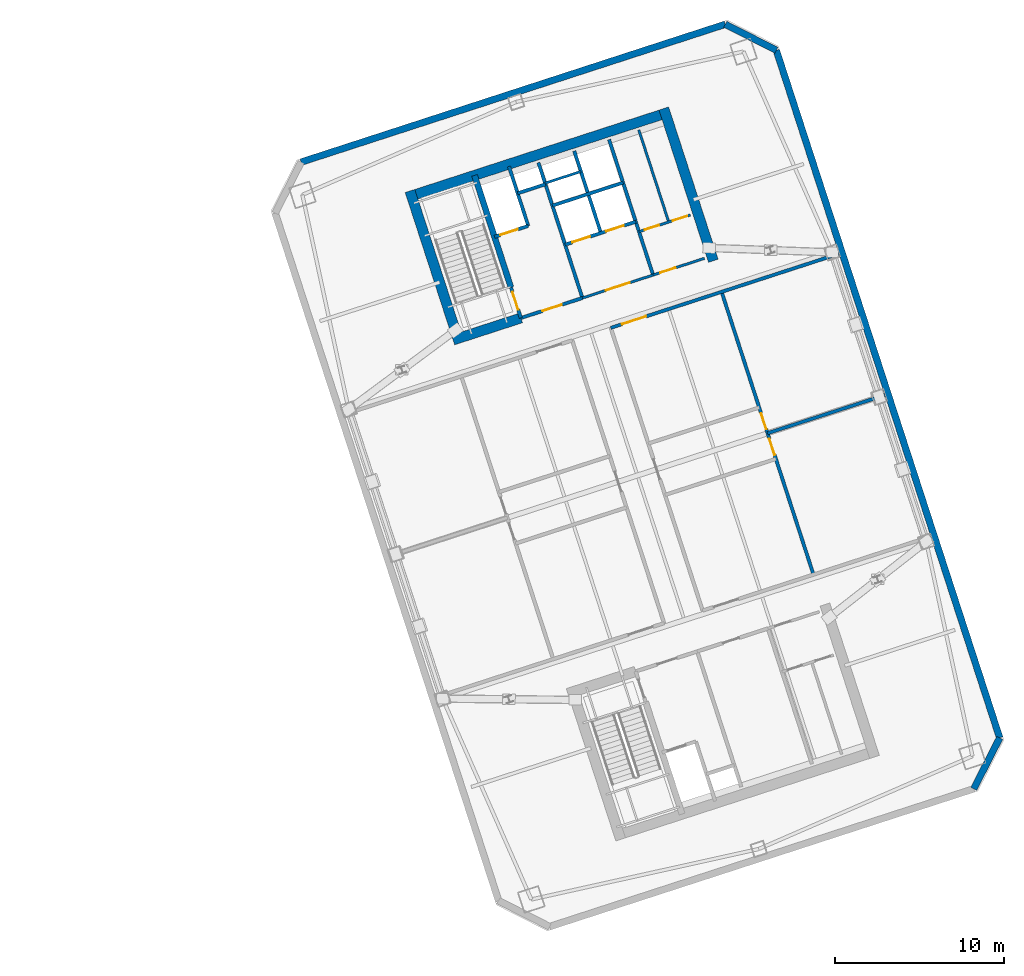
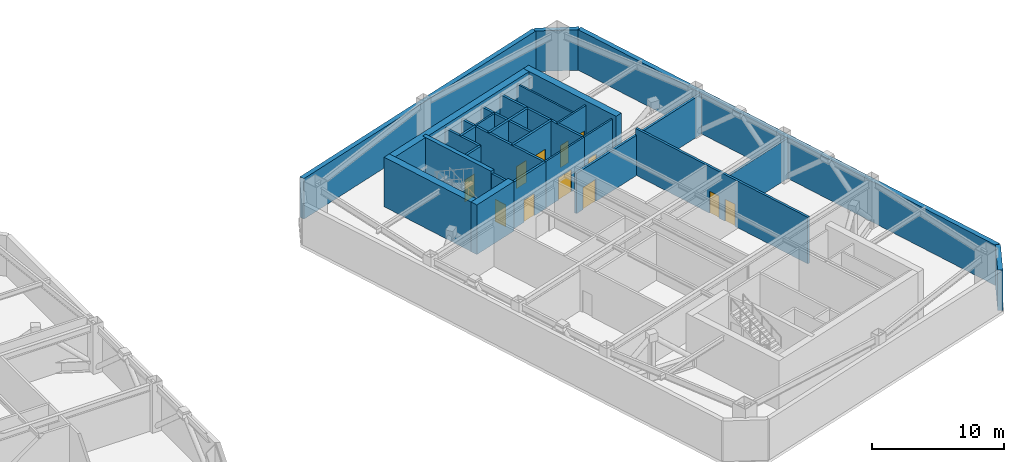
# One storey, part 14 of 17: 27 walls, 12 doors, 12 openings.
"""IFC4 building model written with IfcOpenShell, lengths in metres."""

from ifc_helpers import new_model, si_unit, direction, frame, frame_2d, origin, place, context, subcontext, project, spatial, rectangle, extrude, material, layer, layer_set, type_object, element, fill, save


model = new_model("IFC4")

# Units and contexts
model_context = context("Model", 3, precision=1e-05, world=origin(), true_north=direction((0.0, 1.0)))
body_context = subcontext(model_context, "Body", "Model", "MODEL_VIEW")
ifc_project = project(units=[si_unit("LENGTHUNIT", "METRE"), si_unit("AREAUNIT", "SQUARE_METRE"), si_unit("VOLUMEUNIT", "CUBIC_METRE"), si_unit("PLANEANGLEUNIT", "RADIAN"), si_unit("MASSUNIT", "GRAM", prefix="KILO")], contexts=[model_context])

# Site, building, storey
site_placement = place(None, origin())
site = spatial("IfcSite", under=ifc_project, at=site_placement, CompositionType="ELEMENT")
building_placement = place(site_placement, origin())
building = spatial("IfcBuilding", under=site, at=building_placement, Name="Qiaolan Cultural Towers", CompositionType="ELEMENT")
storey_placement = place(building_placement, frame((0.0, 0.0, 184.0)))
storey = spatial("IfcBuildingStorey", under=building, at=storey_placement, Name="L49", CompositionType="ELEMENT", Elevation=184.0)

# Walls
ifc_material_1 = material(Name="Concrete C50", Category="concrete")
ifc_layer_1 = layer(ifc_material_1, 0.35009765625)
ifc_layer_set_1 = layer_set([ifc_layer_1], Name="Concrete C50")
wall_type_1 = type_object("IfcWallType", Name="WL-CORE-350", PredefinedType="SHEAR", material=ifc_layer_set_1)
wall_1_placement = place(storey_placement, frame((82.513671875, 45.13134765625, 0.0), z_axis=(0.0, 0.0, 1.0), x_axis=(-0.308988790936, 0.951065679686, 0.0)))
element("IfcWall", 1, at=wall_1_placement, inside=storey, type_object=wall_type_1, Name="L49 T2-CN Stair Core Dividing Web", PredefinedType="SHEAR", context=body_context, shape_type="SweptSolid", body=[
    extrude(rectangle(XDim=6.97998046875, YDim=0.35009765625, at=frame_2d((3.489990234375, 0.0))), origin(), (0.0, 0.0, 1.0), 4.60009765625),
])
ifc_material_2 = material(Name="Concrete C55", Category="concrete")
ifc_layer_2 = layer(ifc_material_2, 0.60009765625)
ifc_layer_set_2 = layer_set([ifc_layer_2], Name="Concrete C55")
wall_type_2 = type_object("IfcWallType", Name="WL-CORE-600", PredefinedType="SHEAR", material=ifc_layer_set_2)
wall_2_placement = place(storey_placement, frame((76.343505859375, 50.4658203125, 0.0), z_axis=(0.0, 0.0, 1.0), x_axis=(0.951055727519, 0.309019421968, 0.0)))
element("IfcWall", 2, at=wall_2_placement, inside=storey, type_object=wall_type_2, Name="L49 T2-CN Outer Core Shear Wall", PredefinedType="SHEAR", context=body_context, shape_type="SweptSolid", body=[
    extrude(rectangle(XDim=16.39990234375, YDim=0.60009765625, at=frame_2d((8.199951171875, 0.0))), origin(), (0.0, 0.0, 1.0), 4.60009765625),
])
for number, where, z_axis, x_axis, name in (
    (3, (79.465576171875, 41.827880859375, 0.0), (0.0, 0.0, 1.0), (-0.309041232772, 0.951048640421, 0.0), "L49 T2-CN West Core Shear Wall"),
    (4, (94.4921875, 46.710205078125, 0.0), (0.0, 0.0, 1.0), (-0.309010370028, 0.95105866865, 0.0), "L49 T2-CN East Core Shear Wall"),
):
    element("IfcWall", number, at=place(storey_placement, frame(where, z_axis=z_axis, x_axis=x_axis)), inside=storey, type_object=wall_type_2, Name=name, PredefinedType="SHEAR", context=body_context, shape_type="SweptSolid", body=[
        extrude(rectangle(XDim=9.47998046875, YDim=0.60009765625, at=frame_2d((4.739990234375, 0.0))), origin(), (0.0, 0.0, 1.0), 4.60009765625),
    ])
wall_3_placement = place(storey_placement, frame((79.08740234375, 42.0205078125, 0.0), z_axis=(0.0, 0.0, 1.0), x_axis=(0.951062550203, 0.3089984233, 0.0)))
element("IfcWall", 5, at=wall_3_placement, inside=storey, type_object=wall_type_2, Name="L49 T2-CN Stair Front Shear Wall", PredefinedType="SHEAR", context=body_context, shape_type="SweptSolid", body=[
    extrude(rectangle(XDim=4.219970703125, YDim=0.60009765625, at=frame_2d((2.10986328125, 0.0))), origin(), (0.0, 0.0, 1.0), 4.60009765625),
])
ifc_material_3 = material(Name="Precast Concrete C50 Honed Stone Pier", Category="masonry")
ifc_layer_3 = layer(ifc_material_3, 0.39990234375)
ifc_layer_set_3 = layer_set([ifc_layer_3], Name="Precast Concrete C50 Honed Stone Pier")
wall_type_3 = type_object("IfcWallType", Name="WL-EXT-PIER-400", PredefinedType="SOLIDWALL", material=ifc_layer_set_3)
wall_4_placement = place(storey_placement, frame((70.091552734375, 52.55615234375, 0.0), z_axis=(0.0, 0.0, 1.0), x_axis=(0.951057580055, 0.30901372044, 0.0)))
element("IfcWall", 6, at=wall_4_placement, inside=storey, type_object=wall_type_3, Name="L49 East Tower Precast Pier Facade Wall F3", PredefinedType="SOLIDWALL", context=body_context, shape_type="SweptSolid", body=[
    extrude(rectangle(XDim=26.39990234375, YDim=0.39990234375, at=frame_2d((13.199951171875, 0.0))), origin(), (0.0, 0.0, 1.0), 3.760009765625),
])
wall_5_placement = place(storey_placement, frame((95.199462890625, 60.714111328125, 0.0), z_axis=(0.0, 0.0, 1.0), x_axis=(0.891020832027, -0.453962417932, 0.0)))
element("IfcWall", 7, at=wall_5_placement, inside=storey, type_object=wall_type_3, Name="L49 East Tower Precast Pier Facade Wall F4", PredefinedType="SOLIDWALL", context=body_context, shape_type="SweptSolid", body=[
    extrude(rectangle(XDim=3.39404296875, YDim=0.39990234375, at=frame_2d((1.697021484375, 0.0))), origin(), (0.0, 0.0, 1.0), 3.760009765625),
])
wall_6_placement = place(storey_placement, frame((98.2236328125, 59.17333984375, 0.0), z_axis=(0.0, 0.0, 1.0), x_axis=(0.309014228706, -0.951057414911, 0.0)))
element("IfcWall", 8, at=wall_6_placement, inside=storey, type_object=wall_type_3, Name="L49 East Tower Precast Pier Facade Wall F5", PredefinedType="SOLIDWALL", context=body_context, shape_type="SweptSolid", body=[
    extrude(rectangle(XDim=42.800048828125, YDim=0.39990234375, at=frame_2d((21.39990234375, 0.0))), origin(), (0.0, 0.0, 1.0), 3.760009765625),
])
wall_7_placement = place(storey_placement, frame((111.449462890625, 18.468017578125, 0.0), z_axis=(0.0, 0.0, 1.0), x_axis=(-0.454019523198, -0.890991735402, 0.0)))
element("IfcWall", 9, at=wall_7_placement, inside=storey, type_object=wall_type_3, Name="L49 East Tower Precast Pier Facade Wall F6", PredefinedType="SOLIDWALL", context=body_context, shape_type="SweptSolid", body=[
    extrude(rectangle(XDim=3.39404296875, YDim=0.39990234375, at=frame_2d((1.697021484375, 0.0))), origin(), (0.0, 0.0, 1.0), 3.760009765625),
])

# Wall, opening, door
ifc_material_4 = material(Name="Concrete C35 Fire Wall", Category="concrete")
ifc_layer_4 = layer(ifc_material_4, 0.199951171875)
ifc_layer_set_4 = layer_set([ifc_layer_4], Name="Concrete C35 Fire Wall")
wall_type_4 = type_object("IfcWallType", Name="WL-FIRE-200", PredefinedType="PARTITIONING", material=ifc_layer_set_4)
wall_8_placement = place(storey_placement, frame((83.100830078125, 43.324462890625, 0.0), z_axis=(0.0, 0.0, 1.0), x_axis=(-0.309048298632, 0.951046344356, 0.0)))
wall_8 = element("IfcWall", 10, at=wall_8_placement, inside=storey, type_object=wall_type_4, Name="L49 T2-CN Smokeproof Stair Entry Wall", PredefinedType="PARTITIONING", context=body_context, shape_type="SweptSolid", body=[
    extrude(rectangle(XDim=1.89990234375, YDim=0.199951171875, at=frame_2d((0.949951171875, 0.0))), origin(), (0.0, 0.0, 1.0), 4.324951171875),
])
opening_1_placement = place(wall_8_placement, frame((0.52001953125, 0.0, 0.0)))
opening_1 = element("IfcOpeningElement", 11, at=opening_1_placement, cuts=wall_8, Name="Opening FD-04", PredefinedType="OPENING", context=body_context, shape_type="SweptSolid", body=[
    extrude(rectangle(XDim=1.10009765625, YDim=2.050048828125, at=frame_2d((0.550048828125, 1.02490234375))), frame((0.0, 0.10986328125, 0.0), z_axis=(0.0, -1.0, 0.0), x_axis=(1.0, 0.0, 0.0)), (0.0, 0.0, 1.0), 0.219970703125),
])
ifc_material_5 = material(Name="Galvanized Steel Command Fire Door", Category="steel")
door_type_1 = type_object("IfcDoorType", Name="DR-FD90-1100", OperationType="NOTDEFINED", PredefinedType="DOOR", material=ifc_material_5)
door_1_placement = place(opening_1_placement, origin())
door_1 = element("IfcDoor", 12, at=door_1_placement, inside=storey, type_object=door_type_1, Name="L49 ST-E2 Smokeproof Stair Fire Door", OperationType="SINGLE_SWING_LEFT", OverallHeight=2.050048828125, OverallWidth=1.10009765625, PredefinedType="DOOR", context=body_context, shape_type="SweptSolid", body=[
    extrude(rectangle(XDim=1.10009765625, YDim=2.050048828125, at=frame_2d((0.550048828125, 1.02490234375))), frame((0.0, 0.02490234375, 0.0), z_axis=(0.0, -1.0, 0.0), x_axis=(1.0, 0.0, 0.0)), (0.0, 0.0, 1.0), 0.050048828125),
])
fill(opening_1, door_1)

# Wall
wall_9_placement = place(storey_placement, frame((86.743408203125, 44.508056640625, 0.0), z_axis=(0.0, 0.0, 1.0), x_axis=(-0.309016001439, 0.951056838919, 0.0)))
element("IfcWall", 13, at=wall_9_placement, inside=storey, type_object=wall_type_4, Name="L49 T2-CN Firefighting Zone Wall", PredefinedType="PARTITIONING", context=body_context, shape_type="SweptSolid", body=[
    extrude(rectangle(XDim=8.429931640625, YDim=0.199951171875, at=frame_2d((4.21484375, 0.0))), origin(), (0.0, 0.0, 1.0), 4.324951171875),
])

# Wall, opening, door
wall_10_placement = place(storey_placement, frame((83.100830078125, 43.324462890625, 0.0), z_axis=(0.0, 0.0, 1.0), x_axis=(0.951052804469, 0.309028417967, 0.0)))
wall_10 = element("IfcWall", 14, at=wall_10_placement, inside=storey, type_object=wall_type_4, Name="L49 T2-CN Firefighting Lobby Front Wall", PredefinedType="PARTITIONING", context=body_context, shape_type="SweptSolid", body=[
    extrude(rectangle(XDim=3.830078125, YDim=0.199951171875, at=frame_2d((1.9150390625, 0.0))), origin(), (0.0, 0.0, 1.0), 4.324951171875),
])
opening_2_placement = place(wall_10_placement, frame((1.35009765625, 0.0, 0.0)))
opening_2 = element("IfcOpeningElement", 15, at=opening_2_placement, cuts=wall_10, Name="Opening FD-03", PredefinedType="OPENING", context=body_context, shape_type="SweptSolid", body=[
    extrude(rectangle(XDim=1.199951171875, YDim=2.050048828125, at=frame_2d((0.60009765625, 1.02490234375))), frame((0.0, 0.10986328125, 0.0), z_axis=(0.0, -1.0, 0.0), x_axis=(1.0, 0.0, 0.0)), (0.0, 0.0, 1.0), 0.219970703125),
])
ifc_material_6 = material(Name="Galvanized Steel Smokeproof Lobby Fire Door", Category="steel")
door_type_2 = type_object("IfcDoorType", Name="DR-FD90-1200", OperationType="NOTDEFINED", PredefinedType="DOOR", material=ifc_material_6)
door_2_placement = place(opening_2_placement, origin())
door_2 = element("IfcDoor", 16, at=door_2_placement, inside=storey, type_object=door_type_2, Name="L49 FFL-E2 Firefighting Lobby Fire Door", OperationType="SINGLE_SWING_LEFT", OverallHeight=2.050048828125, OverallWidth=1.199951171875, PredefinedType="DOOR", context=body_context, shape_type="SweptSolid", body=[
    extrude(rectangle(XDim=1.199951171875, YDim=2.050048828125, at=frame_2d((0.60009765625, 1.02490234375))), frame((0.0, 0.02490234375, 0.0), z_axis=(0.0, -1.0, 0.0), x_axis=(1.0, 0.0, 0.0)), (0.0, 0.0, 1.0), 0.050048828125),
])
fill(opening_2, door_2)

wall_11_placement = place(storey_placement, frame((81.540283203125, 48.127197265625, 0.0), z_axis=(0.0, 0.0, 1.0), x_axis=(0.951062257173, 0.308999325213, 0.0)))
wall_11 = element("IfcWall", 17, at=wall_11_placement, inside=storey, type_object=wall_type_4, Name="L49 T2-CN Firefighting Shaft Front Wall", PredefinedType="PARTITIONING", context=body_context, shape_type="SweptSolid", body=[
    extrude(rectangle(XDim=2.10009765625, YDim=0.199951171875, at=frame_2d((1.050048828125, 0.0))), origin(), (0.0, 0.0, 1.0), 4.324951171875),
])
opening_3_placement = place(wall_11_placement, frame((0.35009765625, 0.0, 0.0)))
opening_3 = element("IfcOpeningElement", 18, at=opening_3_placement, cuts=wall_11, Name="Opening LD-01", PredefinedType="OPENING", context=body_context, shape_type="SweptSolid", body=[
    extrude(rectangle(XDim=1.10009765625, YDim=2.050048828125, at=frame_2d((0.550048828125, 1.02490234375))), frame((0.0, 0.10986328125, 0.0), z_axis=(0.0, -1.0, 0.0), x_axis=(1.0, 0.0, 0.0)), (0.0, 0.0, 1.0), 0.219970703125),
])
ifc_material_7 = material(Name="Brushed Stainless Steel S30408 Centre-Parting Lift Landing Door", Category="steel")
door_type_3 = type_object("IfcDoorType", Name="DR-LIFT-1100", OperationType="NOTDEFINED", PredefinedType="DOOR", material=ifc_material_7)
door_3_placement = place(opening_3_placement, origin())
door_3 = element("IfcDoor", 19, at=door_3_placement, inside=storey, type_object=door_type_3, Name="L49 FFL-E2 Firefighting Lift Landing Door", OperationType="DOUBLE_DOOR_SLIDING", OverallHeight=2.050048828125, OverallWidth=1.10009765625, PredefinedType="DOOR", context=body_context, shape_type="SweptSolid", body=[
    extrude(rectangle(XDim=1.10009765625, YDim=2.050048828125, at=frame_2d((0.550048828125, 1.02490234375))), frame((0.0, 0.02490234375, 0.0), z_axis=(0.0, -1.0, 0.0), x_axis=(1.0, 0.0, 0.0)), (0.0, 0.0, 1.0), 0.050048828125),
])
fill(opening_3, door_3)

# Walls
wall_12_placement = place(storey_placement, frame((83.53759765625, 48.776123046875, 0.0), z_axis=(0.0, 0.0, 1.0), x_axis=(-0.3089935693, 0.951064127245, 0.0)))
element("IfcWall", 20, at=wall_12_placement, inside=storey, type_object=wall_type_4, Name="L49 T2-CN Firefighting Hoistway East Wall", PredefinedType="PARTITIONING", context=body_context, shape_type="SweptSolid", body=[
    extrude(rectangle(XDim=3.7001953125, YDim=0.199951171875, at=frame_2d((1.85009765625, 0.0))), origin(), (0.0, 0.0, 1.0), 4.324951171875),
])
wall_13_placement = place(storey_placement, frame((82.910400390625, 50.706787109375, 0.0), z_axis=(0.0, 0.0, 1.0), x_axis=(0.951041328149, 0.309063734775, 0.0)))
element("IfcWall", 21, at=wall_13_placement, inside=storey, type_object=wall_type_4, Name="L49 T2-CN Pressurization Shaft Front Wall", PredefinedType="PARTITIONING", context=body_context, shape_type="SweptSolid", body=[
    extrude(rectangle(XDim=1.72998046875, YDim=0.199951171875, at=frame_2d((0.864990234375, 0.0))), origin(), (0.0, 0.0, 1.0), 4.324951171875),
])
wall_14_placement = place(storey_placement, frame((90.92822265625, 45.86767578125, 0.0), z_axis=(0.0, 0.0, 1.0), x_axis=(-0.309042196757, 0.951048327176, 0.0)))
element("IfcWall", 22, at=wall_14_placement, inside=storey, type_object=wall_type_4, Name="L49 T2-CN Lift Core East Wall", PredefinedType="PARTITIONING", context=body_context, shape_type="SweptSolid", body=[
    extrude(rectangle(XDim=8.429931640625, YDim=0.199951171875, at=frame_2d((4.21484375, 0.0))), origin(), (0.0, 0.0, 1.0), 4.324951171875),
])

# Wall, openings, doors
wall_15_placement = place(storey_placement, frame((85.717529296875, 47.66552734375, 0.0), z_axis=(0.0, 0.0, 1.0), x_axis=(0.951058531764, 0.30901079133, 0.0)))
wall_15 = element("IfcWall", 23, at=wall_15_placement, inside=storey, type_object=wall_type_4, Name="L49 T2-CN Passenger Lift Shaft Front Wall", PredefinedType="PARTITIONING", context=body_context, shape_type="SweptSolid", body=[
    extrude(rectangle(XDim=4.39990234375, YDim=0.199951171875, at=frame_2d((2.199951171875, 0.0))), origin(), (0.0, 0.0, 1.0), 4.324951171875),
])
opening_4_placement = place(wall_15_placement, frame((0.449951171875, 0.0, 0.0)))
opening_4 = element("IfcOpeningElement", 24, at=opening_4_placement, cuts=wall_15, Name="Opening LD-01", PredefinedType="OPENING", context=body_context, shape_type="SweptSolid", body=[
    extrude(rectangle(XDim=1.10009765625, YDim=2.050048828125, at=frame_2d((0.550048828125, 1.02490234375))), frame((0.0, 0.10986328125, 0.0), z_axis=(0.0, -1.0, 0.0), x_axis=(1.0, 0.0, 0.0)), (0.0, 0.0, 1.0), 0.219970703125),
])
opening_5_placement = place(wall_15_placement, frame((2.550048828125, 0.0, 0.0)))
opening_5 = element("IfcOpeningElement", 25, at=opening_5_placement, cuts=wall_15, Name="Opening LD-01", PredefinedType="OPENING", context=body_context, shape_type="SweptSolid", body=[
    extrude(rectangle(XDim=1.10009765625, YDim=2.050048828125, at=frame_2d((0.550048828125, 1.02490234375))), frame((0.0, 0.10986328125, 0.0), z_axis=(0.0, -1.0, 0.0), x_axis=(1.0, 0.0, 0.0)), (0.0, 0.0, 1.0), 0.219970703125),
])
door_4_placement = place(opening_4_placement, origin())
door_4 = element("IfcDoor", 26, at=door_4_placement, inside=storey, type_object=door_type_3, Name="L49 Passenger Lift 1 Landing Door", OperationType="DOUBLE_DOOR_SLIDING", OverallHeight=2.050048828125, OverallWidth=1.10009765625, PredefinedType="DOOR", context=body_context, shape_type="SweptSolid", body=[
    extrude(rectangle(XDim=1.10009765625, YDim=2.050048828125, at=frame_2d((0.550048828125, 1.02490234375))), frame((0.0, 0.02490234375, 0.0), z_axis=(0.0, -1.0, 0.0), x_axis=(1.0, 0.0, 0.0)), (0.0, 0.0, 1.0), 0.050048828125),
])
fill(opening_4, door_4)
door_5_placement = place(opening_5_placement, origin())
door_5 = element("IfcDoor", 27, at=door_5_placement, inside=storey, type_object=door_type_3, Name="L49 Passenger Lift 2 Landing Door", OperationType="DOUBLE_DOOR_SLIDING", OverallHeight=2.050048828125, OverallWidth=1.10009765625, PredefinedType="DOOR", context=body_context, shape_type="SweptSolid", body=[
    extrude(rectangle(XDim=1.10009765625, YDim=2.050048828125, at=frame_2d((0.550048828125, 1.02490234375))), frame((0.0, 0.02490234375, 0.0), z_axis=(0.0, -1.0, 0.0), x_axis=(1.0, 0.0, 0.0)), (0.0, 0.0, 1.0), 0.050048828125),
])
fill(opening_5, door_5)

# Walls
wall_16_placement = place(storey_placement, frame((87.83837890625, 48.3544921875, 0.0), z_axis=(0.0, 0.0, 1.0), x_axis=(-0.3090093719, 0.951058992953, 0.0)))
element("IfcWall", 28, at=wall_16_placement, inside=storey, type_object=wall_type_4, Name="L49 T2-CN Lift Shaft Divider Wall", PredefinedType="PARTITIONING", context=body_context, shape_type="SweptSolid", body=[
    extrude(rectangle(XDim=5.110107421875, YDim=0.199951171875, at=frame_2d((2.55517578125, 0.0))), origin(), (0.0, 0.0, 1.0), 4.324951171875),
])
wall_17_placement = place(storey_placement, frame((84.966552734375, 49.9765625, 0.0), z_axis=(0.0, 0.0, 1.0), x_axis=(0.951063829732, 0.308994485023, 0.0)))
element("IfcWall", 29, at=wall_17_placement, inside=storey, type_object=wall_type_4, Name="L49 T2-CN Passenger Lift Shaft Back Wall", PredefinedType="PARTITIONING", context=body_context, shape_type="SweptSolid", body=[
    extrude(rectangle(XDim=4.400146484375, YDim=0.199951171875, at=frame_2d((2.2001953125, 0.0))), origin(), (0.0, 0.0, 1.0), 4.324951171875),
])

# Wall, opening, door
wall_18_placement = place(storey_placement, frame((88.421875, 42.740234375, 0.0), z_axis=(0.0, 0.0, 1.0), x_axis=(0.951059461247, 0.3090079306, 0.0)))
wall_18 = element("IfcWall", 30, at=wall_18_placement, inside=storey, type_object=wall_type_4, Name="L49 T2 Fire Rated Plant/Refuge Wall NBE", PredefinedType="PARTITIONING", context=body_context, shape_type="SweptSolid", body=[
    extrude(rectangle(XDim=14.2001953125, YDim=0.199951171875, at=frame_2d((7.10009765625, 0.0))), origin(), (0.0, 0.0, 1.0), 3.72705078125),
])
opening_6_placement = place(wall_18_placement, frame((0.699951171875, 0.0, 0.0)))
opening_6 = element("IfcOpeningElement", 31, at=opening_6_placement, cuts=wall_18, Name="Opening FD-02", PredefinedType="OPENING", context=body_context, shape_type="SweptSolid", body=[
    extrude(rectangle(XDim=1.5, YDim=2.050048828125, at=frame_2d((0.75, 1.02490234375))), frame((0.0, 0.10986328125, 0.0), z_axis=(0.0, -1.0, 0.0), x_axis=(1.0, 0.0, 0.0)), (0.0, 0.0, 1.0), 0.219970703125),
])
ifc_material_8 = material(Name="Galvanized Steel Double Fire Door", Category="steel")
door_type_4 = type_object("IfcDoorType", Name="DR-FD90-1500", OperationType="NOTDEFINED", PredefinedType="DOOR", material=ifc_material_8)
door_6_placement = place(opening_6_placement, origin())
door_6 = element("IfcDoor", 32, at=door_6_placement, inside=storey, type_object=door_type_4, Name="L49 T2 East North Refuge Fire Door", OperationType="SINGLE_SWING_RIGHT", OverallHeight=2.050048828125, OverallWidth=1.5, PredefinedType="DOOR", context=body_context, shape_type="SweptSolid", body=[
    extrude(rectangle(XDim=1.5, YDim=2.050048828125, at=frame_2d((0.75, 1.02490234375))), frame((0.0, 0.02490234375, 0.0), z_axis=(0.0, -1.0, 0.0), x_axis=(1.0, 0.0, 0.0)), (0.0, 0.0, 1.0), 0.050048828125),
])
fill(opening_6, door_6)

# Wall, openings, doors
wall_19_placement = place(storey_placement, frame((100.4228515625, 28.1337890625, 0.0), z_axis=(0.0, 0.0, 1.0), x_axis=(-0.309019261708, 0.951055779591, 0.0)))
wall_19 = element("IfcWall", 33, at=wall_19_placement, inside=storey, type_object=wall_type_4, Name="L49 T2 Fire Rated Plant/Refuge Wall ER", PredefinedType="PARTITIONING", context=body_context, shape_type="SweptSolid", body=[
    extrude(rectangle(XDim=17.599853515625, YDim=0.199951171875, at=frame_2d((8.7998046875, 0.0))), origin(), (0.0, 0.0, 1.0), 4.324951171875),
])
opening_7_placement = place(wall_19_placement, frame((7.449951171875, 0.0, 0.0)))
opening_7 = element("IfcOpeningElement", 34, at=opening_7_placement, cuts=wall_19, Name="Opening FD-07", PredefinedType="OPENING", context=body_context, shape_type="SweptSolid", body=[
    extrude(rectangle(XDim=1.0, YDim=2.050048828125, at=frame_2d((0.5, 1.02490234375))), frame((0.0, 0.10986328125, 0.0), z_axis=(0.0, -1.0, 0.0), x_axis=(1.0, 0.0, 0.0)), (0.0, 0.0, 1.0), 0.219970703125),
])
opening_8_placement = place(wall_19_placement, frame((9.050048828125, 0.0, 0.0)))
opening_8 = element("IfcOpeningElement", 35, at=opening_8_placement, cuts=wall_19, Name="Opening FD-07", PredefinedType="OPENING", context=body_context, shape_type="SweptSolid", body=[
    extrude(rectangle(XDim=1.0, YDim=2.050048828125, at=frame_2d((0.5, 1.02490234375))), frame((0.0, 0.10986328125, 0.0), z_axis=(0.0, -1.0, 0.0), x_axis=(1.0, 0.0, 0.0)), (0.0, 0.0, 1.0), 0.219970703125),
])
ifc_material_9 = material(Name="Painted Steel Riser Fire Door", Category="steel")
door_type_5 = type_object("IfcDoorType", Name="DR-FD60-1000", OperationType="NOTDEFINED", PredefinedType="DOOR", material=ifc_material_9)
door_7_placement = place(opening_7_placement, origin())
door_7 = element("IfcDoor", 36, at=door_7_placement, inside=storey, type_object=door_type_5, Name="L49 T2 East AHU Plant Door", OperationType="SINGLE_SWING_LEFT", OverallHeight=2.050048828125, OverallWidth=1.0, PredefinedType="DOOR", context=body_context, shape_type="SweptSolid", body=[
    extrude(rectangle(XDim=1.0, YDim=2.050048828125, at=frame_2d((0.5, 1.02490234375))), frame((0.0, 0.02490234375, 0.0), z_axis=(0.0, -1.0, 0.0), x_axis=(1.0, 0.0, 0.0)), (0.0, 0.0, 1.0), 0.050048828125),
])
fill(opening_7, door_7)
door_8_placement = place(opening_8_placement, origin())
door_8 = element("IfcDoor", 37, at=door_8_placement, inside=storey, type_object=door_type_5, Name="L49 T2 East Electrical Substation Door", OperationType="SINGLE_SWING_RIGHT", OverallHeight=2.050048828125, OverallWidth=1.0, PredefinedType="DOOR", context=body_context, shape_type="SweptSolid", body=[
    extrude(rectangle(XDim=1.0, YDim=2.050048828125, at=frame_2d((0.5, 1.02490234375))), frame((0.0, 0.02490234375, 0.0), z_axis=(0.0, -1.0, 0.0), x_axis=(1.0, 0.0, 0.0)), (0.0, 0.0, 1.0), 0.050048828125),
])
fill(opening_8, door_8)

# Wall
wall_20_placement = place(storey_placement, frame((97.70361328125, 36.5029296875, 0.0), z_axis=(0.0, 0.0, 1.0), x_axis=(0.951053974497, 0.309024817117, 0.0)))
element("IfcWall", 38, at=wall_20_placement, inside=storey, type_object=wall_type_4, Name="L49 T2 Fire Rated Plant/Refuge Wall EMID", PredefinedType="PARTITIONING", context=body_context, shape_type="SweptSolid", body=[
    extrude(rectangle(XDim=7.300048828125, YDim=0.199951171875, at=frame_2d((3.64990234375, 0.0))), origin(), (0.0, 0.0, 1.0), 3.72705078125),
])

# Wall, opening, door
ifc_material_10 = material(Name="Autoclaved Aerated Concrete Block B06", Category="concrete")
ifc_layer_5 = layer(ifc_material_10, 0.14990234375)
ifc_layer_set_5 = layer_set([ifc_layer_5], Name="Autoclaved Aerated Concrete Block B06")
wall_type_5 = type_object("IfcWallType", Name="WL-PART-150", PredefinedType="PARTITIONING", material=ifc_layer_set_5)
wall_21_placement = place(storey_placement, frame((86.743408203125, 44.508056640625, 0.0), z_axis=(0.0, 0.0, 1.0), x_axis=(0.951063829732, 0.308994485023, 0.0)))
wall_21 = element("IfcWall", 39, at=wall_21_placement, inside=storey, type_object=wall_type_5, Name="L49 T2-CN Passenger Lift Lobby Front Wall", PredefinedType="PARTITIONING", context=body_context, shape_type="SweptSolid", body=[
    extrude(rectangle(XDim=4.400146484375, YDim=0.14990234375, at=frame_2d((2.2001953125, 0.0))), origin(), (0.0, 0.0, 1.0), 4.324951171875),
])
opening_9_placement = place(wall_21_placement, frame((1.449951171875, 0.0, 0.0)))
opening_9 = element("IfcOpeningElement", 40, at=opening_9_placement, cuts=wall_21, Name="Opening FD-05", PredefinedType="OPENING", context=body_context, shape_type="SweptSolid", body=[
    extrude(rectangle(XDim=1.5, YDim=2.050048828125, at=frame_2d((0.75, 1.02490234375))), frame((0.0, 0.0849609375, 0.0), z_axis=(0.0, -1.0, 0.0), x_axis=(1.0, 0.0, 0.0)), (0.0, 0.0, 1.0), 0.169921875),
])
ifc_material_11 = material(Name="Painted Steel Lift Lobby Fire Door", Category="steel")
door_type_6 = type_object("IfcDoorType", Name="DR-FD60-1500", OperationType="NOTDEFINED", PredefinedType="DOOR", material=ifc_material_11)
door_9_placement = place(opening_9_placement, origin())
door_9 = element("IfcDoor", 41, at=door_9_placement, inside=storey, type_object=door_type_6, Name="L49 Passenger Lift Lobby Entrance", OperationType="SINGLE_SWING_LEFT", OverallHeight=2.050048828125, OverallWidth=1.5, PredefinedType="DOOR", context=body_context, shape_type="SweptSolid", body=[
    extrude(rectangle(XDim=1.5, YDim=2.050048828125, at=frame_2d((0.75, 1.02490234375))), frame((0.0, 0.02490234375, 0.0), z_axis=(0.0, -1.0, 0.0), x_axis=(1.0, 0.0, 0.0)), (0.0, 0.0, 1.0), 0.050048828125),
])
fill(opening_9, door_9)

# Wall
wall_22_placement = place(storey_placement, frame((84.533935546875, 51.30810546875, 0.0), z_axis=(0.0, 0.0, 1.0), x_axis=(0.951075093106, 0.308959814982, 0.0)))
element("IfcWall", 42, at=wall_22_placement, inside=storey, type_object=wall_type_5, Name="L49 T2-CN Core Rear Riser Split", PredefinedType="PARTITIONING", context=body_context, shape_type="SweptSolid", body=[
    extrude(rectangle(XDim=2.22998046875, YDim=0.14990234375, at=frame_2d((1.114990234375, 0.0))), origin(), (0.0, 0.0, 1.0), 4.324951171875),
])

# Wall, opening, door
wall_23_placement = place(storey_placement, frame((90.92822265625, 45.86767578125, 0.0), z_axis=(0.0, 0.0, 1.0), x_axis=(0.951059297078, 0.309008435874, 0.0)))
wall_23 = element("IfcWall", 43, at=wall_23_placement, inside=storey, type_object=wall_type_5, Name="L49 T2-CN Sanitary Core Front Wall", PredefinedType="PARTITIONING", context=body_context, shape_type="SweptSolid", body=[
    extrude(rectangle(XDim=3.19970703125, YDim=0.14990234375, at=frame_2d((1.599853515625, 0.0))), origin(), (0.0, 0.0, 1.0), 4.324951171875),
])
opening_10_placement = place(wall_23_placement, frame((0.449951171875, 0.0, 0.0)))
opening_10 = element("IfcOpeningElement", 44, at=opening_10_placement, cuts=wall_23, Name="Opening ID-05", PredefinedType="OPENING", context=body_context, shape_type="SweptSolid", body=[
    extrude(rectangle(XDim=0.949951171875, YDim=2.050048828125, at=frame_2d((0.47509765625, 1.02490234375))), frame((0.0, 0.0849609375, 0.0), z_axis=(0.0, -1.0, 0.0), x_axis=(1.0, 0.0, 0.0)), (0.0, 0.0, 1.0), 0.169921875),
])
ifc_material_12 = material(Name="Fire-Rated Laminate Accessible Core Door", Category="timber")
door_type_7 = type_object("IfcDoorType", Name="DR-INT-950", OperationType="NOTDEFINED", PredefinedType="DOOR", material=ifc_material_12)
door_10_placement = place(opening_10_placement, origin())
door_10 = element("IfcDoor", 45, at=door_10_placement, inside=storey, type_object=door_type_7, Name="L49 Sanitary Vestibule Door", OperationType="SINGLE_SWING_LEFT", OverallHeight=2.050048828125, OverallWidth=0.949951171875, PredefinedType="DOOR", context=body_context, shape_type="SweptSolid", body=[
    extrude(rectangle(XDim=0.949951171875, YDim=2.050048828125, at=frame_2d((0.47509765625, 1.02490234375))), frame((0.0, 0.02490234375, 0.0), z_axis=(0.0, -1.0, 0.0), x_axis=(1.0, 0.0, 0.0)), (0.0, 0.0, 1.0), 0.050048828125),
])
fill(opening_10, door_10)

# Wall, openings, doors
wall_24_placement = place(storey_placement, frame((90.09375, 48.435546875, 0.0), z_axis=(0.0, 0.0, 1.0), x_axis=(0.951066581729, 0.308986014439, 0.0)))
wall_24 = element("IfcWall", 46, at=wall_24_placement, inside=storey, type_object=wall_type_5, Name="L49 T2-CN Restroom Vestibule Wall", PredefinedType="PARTITIONING", context=body_context, shape_type="SweptSolid", body=[
    extrude(rectangle(XDim=3.199951171875, YDim=0.14990234375, at=frame_2d((1.60009765625, 0.0))), origin(), (0.0, 0.0, 1.0), 4.324951171875),
])
opening_11_placement = place(wall_24_placement, frame((0.35009765625, 0.0, 0.0)))
opening_11 = element("IfcOpeningElement", 47, at=opening_11_placement, cuts=wall_24, Name="Opening ID-06", PredefinedType="OPENING", context=body_context, shape_type="SweptSolid", body=[
    extrude(rectangle(XDim=0.89990234375, YDim=2.050048828125, at=frame_2d((0.449951171875, 1.02490234375))), frame((0.0, 0.0849609375, 0.0), z_axis=(0.0, -1.0, 0.0), x_axis=(1.0, 0.0, 0.0)), (0.0, 0.0, 1.0), 0.169921875),
])
opening_12_placement = place(wall_24_placement, frame((2.10009765625, 0.0, 0.0)))
opening_12 = element("IfcOpeningElement", 48, at=opening_12_placement, cuts=wall_24, Name="Opening ID-06", PredefinedType="OPENING", context=body_context, shape_type="SweptSolid", body=[
    extrude(rectangle(XDim=0.89990234375, YDim=2.050048828125, at=frame_2d((0.449951171875, 1.02490234375))), frame((0.0, 0.0849609375, 0.0), z_axis=(0.0, -1.0, 0.0), x_axis=(1.0, 0.0, 0.0)), (0.0, 0.0, 1.0), 0.169921875),
])
ifc_material_13 = material(Name="Fire-Rated Laminate Core Service Door", Category="timber")
door_type_8 = type_object("IfcDoorType", Name="DR-INT-900", OperationType="NOTDEFINED", PredefinedType="DOOR", material=ifc_material_13)
door_11_placement = place(opening_11_placement, origin())
door_11 = element("IfcDoor", 49, at=door_11_placement, inside=storey, type_object=door_type_8, Name="L49 Men Restroom Door", OperationType="SINGLE_SWING_LEFT", OverallHeight=2.050048828125, OverallWidth=0.89990234375, PredefinedType="DOOR", context=body_context, shape_type="SweptSolid", body=[
    extrude(rectangle(XDim=0.89990234375, YDim=2.050048828125, at=frame_2d((0.449951171875, 1.02490234375))), frame((0.0, 0.02490234375, 0.0), z_axis=(0.0, -1.0, 0.0), x_axis=(1.0, 0.0, 0.0)), (0.0, 0.0, 1.0), 0.050048828125),
])
fill(opening_11, door_11)
door_12_placement = place(opening_12_placement, origin())
door_12 = element("IfcDoor", 50, at=door_12_placement, inside=storey, type_object=door_type_8, Name="L49 Accessible & Women Restroom Door", OperationType="SINGLE_SWING_RIGHT", OverallHeight=2.050048828125, OverallWidth=0.89990234375, PredefinedType="DOOR", context=body_context, shape_type="SweptSolid", body=[
    extrude(rectangle(XDim=0.89990234375, YDim=2.050048828125, at=frame_2d((0.449951171875, 1.02490234375))), frame((0.0, 0.02490234375, 0.0), z_axis=(0.0, -1.0, 0.0), x_axis=(1.0, 0.0, 0.0)), (0.0, 0.0, 1.0), 0.050048828125),
])
fill(opening_12, door_12)

# Wall
wall_25_placement = place(storey_placement, frame((91.853271484375, 49.007080078125, 0.0), z_axis=(0.0, 0.0, 1.0), x_axis=(-0.309022487551, 0.951054731437, 0.0)))
element("IfcWall", 51, at=wall_25_placement, inside=storey, type_object=wall_type_5, Name="L49 T2-CN Restroom Divider Wall", PredefinedType="PARTITIONING", context=body_context, shape_type="SweptSolid", body=[
    extrude(rectangle(XDim=5.730224609375, YDim=0.14990234375, at=frame_2d((2.865234375, 0.0))), origin(), (0.0, 0.0, 1.0), 4.324951171875),
])

save(model, "model.ifc")
